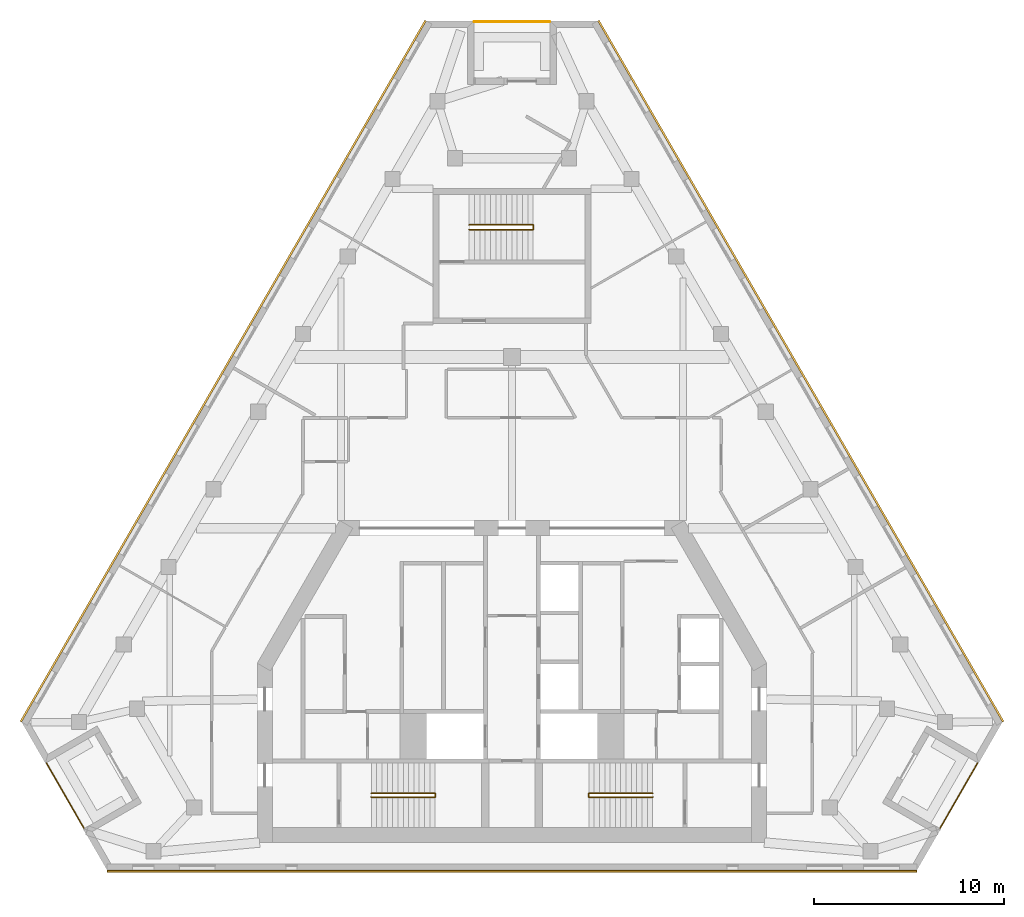
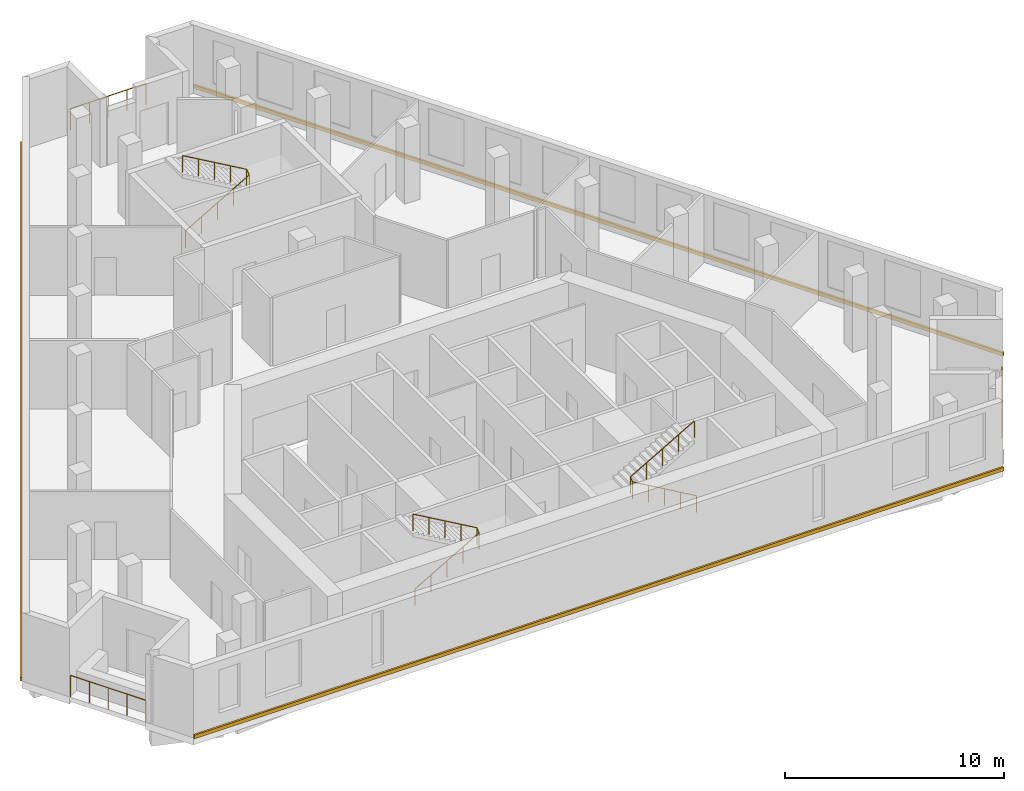
# One storey, part 8 of 8: 6 railings, 3 coverings.
"""IFC4 building model written with IfcOpenShell, lengths in metres."""

from ifc_helpers import new_model, si_unit, direction, frame, origin, origin_2d, place, context, subcontext, project, spatial, polyline, circle, outline, extrude, material, type_object, element, save


model = new_model("IFC4")

# Units and contexts
model_context = context("Model", 3, precision=1e-05, world=origin(), true_north=direction((0.0, 1.0)))
body_context = subcontext(model_context, "Body", "Model", "MODEL_VIEW")
ifc_project = project(units=[si_unit("LENGTHUNIT", "METRE"), si_unit("AREAUNIT", "SQUARE_METRE"), si_unit("VOLUMEUNIT", "CUBIC_METRE"), si_unit("PLANEANGLEUNIT", "RADIAN"), si_unit("MASSUNIT", "GRAM", prefix="KILO")], contexts=[model_context])

# Site, building, storey
site_placement = place(None, origin())
site = spatial("IfcSite", under=ifc_project, at=site_placement, CompositionType="ELEMENT")
building_placement = place(site_placement, origin())
building = spatial("IfcBuilding", under=site, at=building_placement, Name="Fogline Exchange Tower", CompositionType="ELEMENT")
storey_placement = place(building_placement, frame((0.0, 0.0, 270.89990234375)))
storey = spatial("IfcBuildingStorey", under=building, at=storey_placement, Name="L61", CompositionType="ELEMENT", Elevation=270.89990234375)

# Railings
ifc_material_1 = material(Name="Stainless steel 304", Category="steel")
railing_type_1 = type_object("IfcRailingType", Name="G1", PredefinedType="GUARDRAIL", material=ifc_material_1)
railing_1_placement = place(storey_placement, frame((-24.4931640625, 5.635986328125, 0.0)))
element("IfcRailing", 1, at=railing_1_placement, inside=storey, type_object=railing_type_1, Name="Balcony guard L61 SW", PredefinedType="GUARDRAIL", context=body_context, shape_type="SweptSolid", body=[
    extrude(circle(Radius=0.02392578125, at=origin_2d()), frame((0.0, 0.0, 1.17578125), z_axis=(0.500000102728, -0.866025344474, 0.0), x_axis=(0.866025344474, 0.500000102728, 0.0)), (0.0, 0.0, 1.0), 3.9580078125),
    extrude(circle(Radius=0.02099609375, at=origin_2d()), origin(), (0.0, 0.0, 1.0), 1.15185546875),
    extrude(circle(Radius=0.02099609375, at=origin_2d()), frame((0.49462890625, -0.85693359375, 0.0)), (0.0, 0.0, 1.0), 1.15185546875),
    extrude(circle(Radius=0.02099609375, at=origin_2d()), frame((0.989501953125, -1.7138671875, 0.0)), (0.0, 0.0, 1.0), 1.15185546875),
    extrude(circle(Radius=0.02099609375, at=origin_2d()), frame((1.484375, -2.57080078125, 0.0)), (0.0, 0.0, 1.0), 1.15185546875),
    extrude(circle(Radius=0.02099609375, at=origin_2d()), frame((1.97900390625, -3.427734375, 0.0)), (0.0, 0.0, 1.0), 1.15185546875),
])
railing_2_placement = place(storey_placement, frame((22.51416015625, 2.208251953125, 0.0)))
element("IfcRailing", 2, at=railing_2_placement, inside=storey, type_object=railing_type_1, Name="Balcony guard L61 SE", PredefinedType="GUARDRAIL", context=body_context, shape_type="SweptSolid", body=[
    extrude(circle(Radius=0.02392578125, at=origin_2d()), frame((0.0, 0.0, 1.17578125), z_axis=(0.500000102728, 0.866025344474, 0.0), x_axis=(-0.866025344474, 0.500000102728, 0.0)), (0.0, 0.0, 1.0), 3.9580078125),
    extrude(circle(Radius=0.02099609375, at=origin_2d()), origin(), (0.0, 0.0, 1.0), 1.15185546875),
    extrude(circle(Radius=0.02099609375, at=origin_2d()), frame((0.49462890625, 0.85693359375, 0.0)), (0.0, 0.0, 1.0), 1.15185546875),
    extrude(circle(Radius=0.02099609375, at=origin_2d()), frame((0.989501953125, 1.7138671875, 0.0)), (0.0, 0.0, 1.0), 1.15185546875),
    extrude(circle(Radius=0.02099609375, at=origin_2d()), frame((1.484375, 2.57080078125, 0.0)), (0.0, 0.0, 1.0), 1.15185546875),
    extrude(circle(Radius=0.02099609375, at=origin_2d()), frame((1.97900390625, 3.427734375, 0.0)), (0.0, 0.0, 1.0), 1.15185546875),
])
railing_3_placement = place(storey_placement, frame((1.97900390625, 44.631591796875, 0.0)))
element("IfcRailing", 3, at=railing_3_placement, inside=storey, type_object=railing_type_1, Name="Balcony guard L61 N", PredefinedType="GUARDRAIL", context=body_context, shape_type="SweptSolid", body=[
    extrude(circle(Radius=0.02392578125, at=origin_2d()), frame((0.0, 0.0, 1.17578125), z_axis=(-1.0, 0.0, 0.0), x_axis=(0.0, -1.0, 0.0)), (0.0, 0.0, 1.0), 3.9580078125),
    extrude(circle(Radius=0.02099609375, at=origin_2d()), origin(), (0.0, 0.0, 1.0), 1.15185546875),
    extrude(circle(Radius=0.02099609375, at=origin_2d()), frame((-0.989501953125, 0.0, 0.0)), (0.0, 0.0, 1.0), 1.15185546875),
    extrude(circle(Radius=0.02099609375, at=origin_2d()), frame((-1.97900390625, 0.0, 0.0)), (0.0, 0.0, 1.0), 1.15185546875),
    extrude(circle(Radius=0.02099609375, at=origin_2d()), frame((-2.968505859375, 0.0, 0.0)), (0.0, 0.0, 1.0), 1.15185546875),
    extrude(circle(Radius=0.02099609375, at=origin_2d()), frame((-3.9580078125, 0.0, 0.0)), (0.0, 0.0, 1.0), 1.15185546875),
])
ifc_material_2 = material(Name="Steel Q235B", Category="steel")
railing_type_2 = type_object("IfcRailingType", Name="RL-HR", PredefinedType="HANDRAIL", material=ifc_material_2)
railing_4_placement = place(storey_placement, frame((-7.39990234375, 3.85009765625, 0.16162109375)))
element("IfcRailing", 4, at=railing_4_placement, inside=storey, type_object=railing_type_2, Name="Handrail ST1", PredefinedType="HANDRAIL", context=body_context, shape_type="SweptSolid", body=[
    extrude(circle(Radius=0.02392578125, at=origin_2d()), frame((0.0, 0.0, 0.92578125), z_axis=(0.866175107563, 0.0, 0.499740615757), x_axis=(0.0, 1.0, 0.0)), (0.0, 0.0, 1.0), 3.87890625),
    extrude(circle(Radius=0.02392578125, at=origin_2d()), frame((3.35986328125, 0.0, 2.8642578125), z_axis=(0.0, 0.777709044463, 0.628624404682), x_axis=(-1.0, 0.0, 0.0)), (0.0, 0.0, 1.0), 0.257080078125),
    extrude(circle(Radius=0.02392578125, at=origin_2d()), frame((3.35986328125, 0.199951171875, 3.02587890625), z_axis=(-0.866175107563, 0.0, 0.499740615757), x_axis=(0.0, -1.0, 0.0)), (0.0, 0.0, 1.0), 3.87890625),
    extrude(circle(Radius=0.02099609375, at=origin_2d()), origin(), (0.0, 0.0, 1.0), 0.90185546875),
    extrude(circle(Radius=0.02099609375, at=origin_2d()), frame((0.83984375, 0.0, 0.484619140625)), (0.0, 0.0, 1.0), 0.90185546875),
    extrude(circle(Radius=0.02099609375, at=origin_2d()), frame((1.679931640625, 0.0, 0.96923828125)), (0.0, 0.0, 1.0), 0.90185546875),
    extrude(circle(Radius=0.02099609375, at=origin_2d()), frame((2.52001953125, 0.0, 1.453857421875)), (0.0, 0.0, 1.0), 0.90185546875),
    extrude(circle(Radius=0.02099609375, at=origin_2d()), frame((3.35986328125, 0.0, 1.9384765625)), (0.0, 0.0, 1.0), 0.90185546875),
    extrude(circle(Radius=0.02099609375, at=origin_2d()), frame((3.35986328125, 0.199951171875, 2.10009765625)), (0.0, 0.0, 1.0), 0.90185546875),
    extrude(circle(Radius=0.02099609375, at=origin_2d()), frame((2.52001953125, 0.199951171875, 2.584716796875)), (0.0, 0.0, 1.0), 0.90185546875),
    extrude(circle(Radius=0.02099609375, at=origin_2d()), frame((1.679931640625, 0.199951171875, 3.0693359375)), (0.0, 0.0, 1.0), 0.90185546875),
    extrude(circle(Radius=0.02099609375, at=origin_2d()), frame((0.83984375, 0.199951171875, 3.553955078125)), (0.0, 0.0, 1.0), 0.90185546875),
    extrude(circle(Radius=0.02099609375, at=origin_2d()), frame((0.0, 0.199951171875, 4.03857421875)), (0.0, 0.0, 1.0), 0.90185546875),
])
railing_5_placement = place(storey_placement, frame((7.39990234375, 3.85009765625, 0.16162109375)))
element("IfcRailing", 5, at=railing_5_placement, inside=storey, type_object=railing_type_2, Name="Handrail ST2", PredefinedType="HANDRAIL", context=body_context, shape_type="SweptSolid", body=[
    extrude(circle(Radius=0.02392578125, at=origin_2d()), frame((0.0, 0.0, 0.92578125), z_axis=(-0.866175107563, 0.0, 0.499740615757), x_axis=(0.0, -1.0, 0.0)), (0.0, 0.0, 1.0), 3.87890625),
    extrude(circle(Radius=0.02392578125, at=origin_2d()), frame((-3.35986328125, 0.0, 2.8642578125), z_axis=(0.0, 0.777709044463, 0.628624404682), x_axis=(-1.0, 0.0, 0.0)), (0.0, 0.0, 1.0), 0.257080078125),
    extrude(circle(Radius=0.02392578125, at=origin_2d()), frame((-3.35986328125, 0.199951171875, 3.02587890625), z_axis=(0.866175107563, 0.0, 0.499740615757), x_axis=(0.0, 1.0, 0.0)), (0.0, 0.0, 1.0), 3.87890625),
    extrude(circle(Radius=0.02099609375, at=origin_2d()), origin(), (0.0, 0.0, 1.0), 0.90185546875),
    extrude(circle(Radius=0.02099609375, at=origin_2d()), frame((-0.83984375, 0.0, 0.484619140625)), (0.0, 0.0, 1.0), 0.90185546875),
    extrude(circle(Radius=0.02099609375, at=origin_2d()), frame((-1.679931640625, 0.0, 0.96923828125)), (0.0, 0.0, 1.0), 0.90185546875),
    extrude(circle(Radius=0.02099609375, at=origin_2d()), frame((-2.52001953125, 0.0, 1.453857421875)), (0.0, 0.0, 1.0), 0.90185546875),
    extrude(circle(Radius=0.02099609375, at=origin_2d()), frame((-3.35986328125, 0.0, 1.9384765625)), (0.0, 0.0, 1.0), 0.90185546875),
    extrude(circle(Radius=0.02099609375, at=origin_2d()), frame((-3.35986328125, 0.199951171875, 2.10009765625)), (0.0, 0.0, 1.0), 0.90185546875),
    extrude(circle(Radius=0.02099609375, at=origin_2d()), frame((-2.52001953125, 0.199951171875, 2.584716796875)), (0.0, 0.0, 1.0), 0.90185546875),
    extrude(circle(Radius=0.02099609375, at=origin_2d()), frame((-1.679931640625, 0.199951171875, 3.0693359375)), (0.0, 0.0, 1.0), 0.90185546875),
    extrude(circle(Radius=0.02099609375, at=origin_2d()), frame((-0.83984375, 0.199951171875, 3.553955078125)), (0.0, 0.0, 1.0), 0.90185546875),
    extrude(circle(Radius=0.02099609375, at=origin_2d()), frame((0.0, 0.199951171875, 4.03857421875)), (0.0, 0.0, 1.0), 0.90185546875),
])
railing_6_placement = place(storey_placement, frame((-2.25, 33.70703125, 0.16162109375)))
element("IfcRailing", 6, at=railing_6_placement, inside=storey, type_object=railing_type_2, Name="Handrail ST3", PredefinedType="HANDRAIL", context=body_context, shape_type="SweptSolid", body=[
    extrude(circle(Radius=0.02392578125, at=origin_2d()), frame((0.0, 0.0, 0.92578125), z_axis=(0.866190824863, 0.0, 0.499713372768), x_axis=(0.0, 1.0, 0.0)), (0.0, 0.0, 1.0), 3.879150390625),
    extrude(circle(Radius=0.02392578125, at=origin_2d()), frame((3.360107421875, 0.0, 2.8642578125), z_axis=(0.0, 0.839790117141, 0.542911189011), x_axis=(-1.0, 0.0, 0.0)), (0.0, 0.0, 1.0), 0.297607421875),
    extrude(circle(Radius=0.02392578125, at=origin_2d()), frame((3.360107421875, 0.25, 3.02587890625), z_axis=(-0.866190824863, 0.0, 0.499713372768), x_axis=(0.0, -1.0, 0.0)), (0.0, 0.0, 1.0), 3.879150390625),
    extrude(circle(Radius=0.02099609375, at=origin_2d()), origin(), (0.0, 0.0, 1.0), 0.90185546875),
    extrude(circle(Radius=0.02099609375, at=origin_2d()), frame((0.840087890625, 0.0, 0.484619140625)), (0.0, 0.0, 1.0), 0.90185546875),
    extrude(circle(Radius=0.02099609375, at=origin_2d()), frame((1.68017578125, 0.0, 0.96923828125)), (0.0, 0.0, 1.0), 0.90185546875),
    extrude(circle(Radius=0.02099609375, at=origin_2d()), frame((2.52001953125, 0.0, 1.453857421875)), (0.0, 0.0, 1.0), 0.90185546875),
    extrude(circle(Radius=0.02099609375, at=origin_2d()), frame((3.360107421875, 0.0, 1.9384765625)), (0.0, 0.0, 1.0), 0.90185546875),
    extrude(circle(Radius=0.02099609375, at=origin_2d()), frame((3.360107421875, 0.25, 2.10009765625)), (0.0, 0.0, 1.0), 0.90185546875),
    extrude(circle(Radius=0.02099609375, at=origin_2d()), frame((2.52001953125, 0.25, 2.584716796875)), (0.0, 0.0, 1.0), 0.90185546875),
    extrude(circle(Radius=0.02099609375, at=origin_2d()), frame((1.68017578125, 0.25, 3.0693359375)), (0.0, 0.0, 1.0), 0.90185546875),
    extrude(circle(Radius=0.02099609375, at=origin_2d()), frame((0.840087890625, 0.25, 3.553955078125)), (0.0, 0.0, 1.0), 0.90185546875),
    extrude(circle(Radius=0.02099609375, at=origin_2d()), frame((0.0, 0.25, 4.03857421875)), (0.0, 0.0, 1.0), 0.90185546875),
])

# Coverings
ifc_material_3 = material(Name="Brick masonry", Category="masonry")
covering_type = type_object("IfcCoveringType", Name="SB1", PredefinedType="CLADDING", material=ifc_material_3)
covering_1_placement = place(storey_placement, origin())
element("IfcCovering", 7, at=covering_1_placement, inside=storey, type_object=covering_type, Name="Stringcourse band L61 S", PredefinedType="CLADDING", context=body_context, shape_type="SweptSolid", body=[
    extrude(outline(polyline([(-21.297119140625, 0.0), (-21.297119140625, -0.10009765625), (21.297119140625, -0.10009765625), (21.297119140625, 0.0), (-21.297119140625, 0.0)])), origin(), (0.0, 0.0, 1.0), 0.2001953125),
])
covering_2_placement = place(storey_placement, origin())
element("IfcCovering", 8, at=covering_2_placement, inside=storey, type_object=covering_type, Name="Stringcourse band L61 E", PredefinedType="CLADDING", context=body_context, shape_type="SweptSolid", body=[
    extrude(outline(polyline([(25.797119140625, 7.794189453125), (25.883544921875, 7.84423828125), (4.586669921875, 44.731689453125), (4.5, 44.681640625), (25.797119140625, 7.794189453125)])), origin(), (0.0, 0.0, 1.0), 0.2001953125),
])
covering_3_placement = place(storey_placement, origin())
element("IfcCovering", 9, at=covering_3_placement, inside=storey, type_object=covering_type, Name="Stringcourse band L61 W", PredefinedType="CLADDING", context=body_context, shape_type="SweptSolid", body=[
    extrude(outline(polyline([(-4.5, 44.681640625), (-4.586669921875, 44.731689453125), (-25.883544921875, 7.84423828125), (-25.797119140625, 7.794189453125), (-4.5, 44.681640625)])), origin(), (0.0, 0.0, 1.0), 0.2001953125),
])

save(model, "model.ifc")
